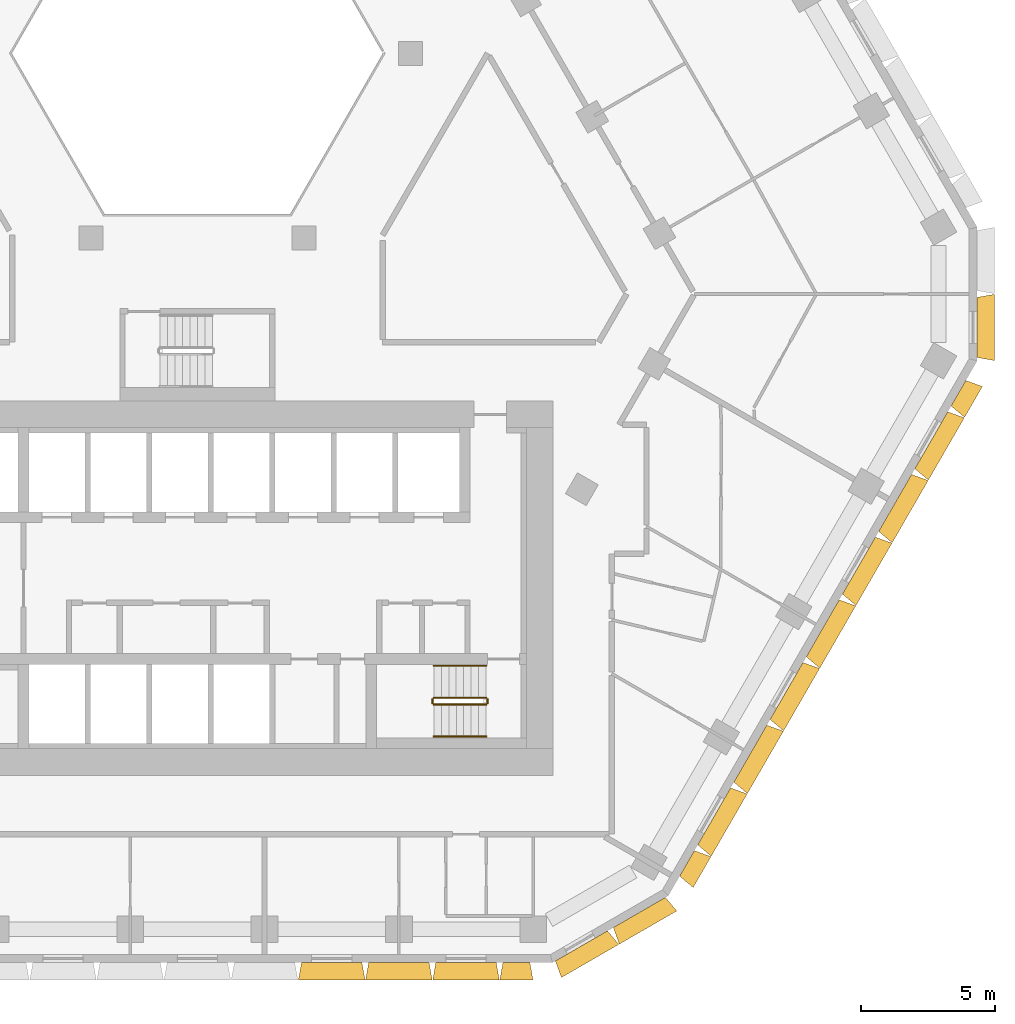
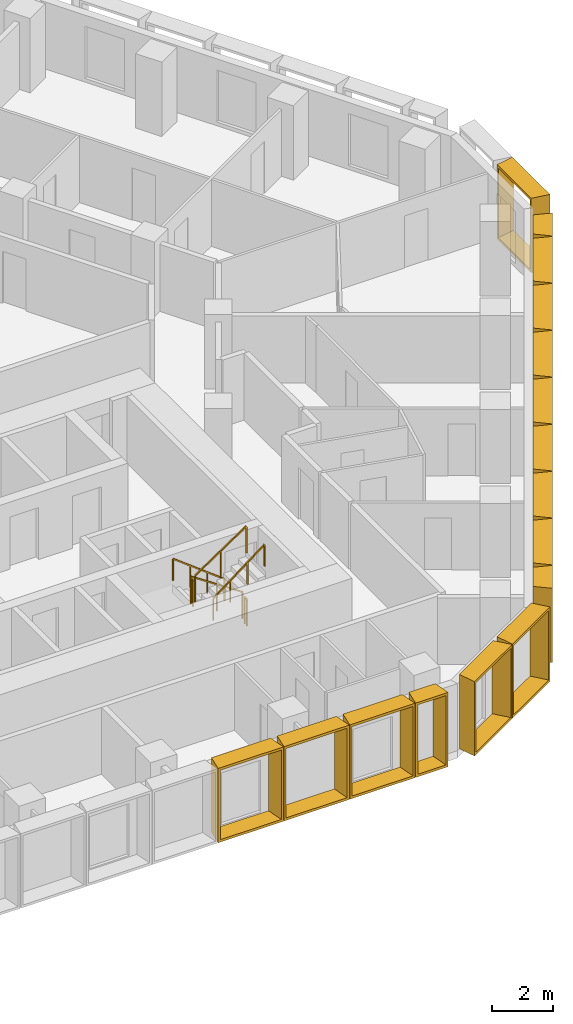
# One storey, part 15 of 16: 16 shading devices, 6 railings.
"""IFC4 building model written with IfcOpenShell, lengths in metres."""

from ifc_helpers import new_model, entity, si_unit, direction, frame, origin, origin_2d, place, context, subcontext, project, spatial, rectangle, extrude, source, transform, mapped, material, type_object, type_shapes, element, save


model = new_model("IFC4")

# Units and contexts
model_context = context("Model", 3, precision=1e-05, world=origin(), true_north=direction((0.0, 1.0)))
body_context = subcontext(model_context, "Body", "Model", "MODEL_VIEW")
ifc_project = project(units=[si_unit("LENGTHUNIT", "METRE"), si_unit("AREAUNIT", "SQUARE_METRE"), si_unit("VOLUMEUNIT", "CUBIC_METRE"), si_unit("PLANEANGLEUNIT", "RADIAN"), si_unit("MASSUNIT", "GRAM", prefix="KILO")], contexts=[model_context])

# Site, building, storey
site_placement = place(None, origin())
site = spatial("IfcSite", under=ifc_project, at=site_placement, CompositionType="ELEMENT")
building_placement = place(site_placement, origin())
building = spatial("IfcBuilding", under=site, at=building_placement, Name="Beryl Residences", CompositionType="ELEMENT")
storey_placement = place(building_placement, frame((0.0, 0.0, 90.0)))
storey = spatial("IfcBuildingStorey", under=building, at=storey_placement, Name="L27", CompositionType="ELEMENT", Elevation=90.0)

# Shading devices
ifc_material_1 = material(Name="Aluminium pale anodised", Category="aluminium")
shading_device_type_1 = type_object("IfcShadingDeviceType", Name="FR126-65A OUTER SKIN frame 650 mm deep, splay 10/10 deg, 1260 x 3000 mm cell", PredefinedType="USERDEFINED", material=ifc_material_1)
cartesian_point_1 = entity("IfcCartesianPoint", [-0.5048828125, 0.0])
cartesian_point_2 = entity("IfcCartesianPoint", [-0.423828125, 0.10009765625])
cartesian_point_3 = entity("IfcCartesianPoint", [-0.61962890625, 0.0])
cartesian_point_4 = entity("IfcCartesianPoint", [-0.538330078125, 0.10009765625])
shared_shape_1 = source(origin(), body_context, "Body", "SweptSolid", [
    entity("IfcExtrudedAreaSolidTapered", entity("IfcArbitraryProfileDefWithVoids", "AREA", None, entity("IfcPolyline", [cartesian_point_1, entity("IfcCartesianPoint", [0.5048828125, 0.0]), entity("IfcCartesianPoint", [0.5048828125, 3.0]), entity("IfcCartesianPoint", [-0.5048828125, 3.0]), cartesian_point_1]), [entity("IfcPolyline", [cartesian_point_2, entity("IfcCartesianPoint", [0.423828125, 0.10009765625]), entity("IfcCartesianPoint", [0.423828125, 2.89990234375]), entity("IfcCartesianPoint", [-0.423828125, 2.89990234375]), cartesian_point_2])]), entity("IfcAxis2Placement3D", entity("IfcCartesianPoint", [0.0, 0.0, 0.0]), entity("IfcDirection", [0.0, 1.0, 0.0]), entity("IfcDirection", [-1.0, 0.0, 0.0])), entity("IfcDirection", [0.0, 0.0, 1.0]), 0.64990234375, entity("IfcArbitraryProfileDefWithVoids", "AREA", None, entity("IfcPolyline", [cartesian_point_3, entity("IfcCartesianPoint", [0.61962890625, 0.0]), entity("IfcCartesianPoint", [0.61962890625, 3.0]), entity("IfcCartesianPoint", [-0.61962890625, 3.0]), cartesian_point_3]), [entity("IfcPolyline", [cartesian_point_4, entity("IfcCartesianPoint", [0.538330078125, 0.10009765625]), entity("IfcCartesianPoint", [0.538330078125, 2.89990234375]), entity("IfcCartesianPoint", [-0.538330078125, 2.89990234375]), cartesian_point_4])])),
])
type_shapes(shading_device_type_1, [shared_shape_1])
shading_device_placement = place(storey_placement, frame((11.929931640625, -26.0, 0.0), z_axis=(0.0, 0.0, 1.0), x_axis=(-1.0, 0.0, 0.0)))
element("IfcShadingDevice", 1, at=shading_device_placement, inside=storey, type_object=shading_device_type_1, Name="FR126-65A frame L27 S 11", ObjectType="OUTER SKIN", PredefinedType="USERDEFINED", context=body_context, shape_type="MappedRepresentation", body=[
    mapped(shared_shape_1, transform((0.0, 0.0, 0.0))),
])
ifc_material_2 = material(Name="Aluminium pale anodised", Category="aluminium")
shading_device_type_2 = type_object("IfcShadingDeviceType", Name="FR135-65A OUTER SKIN frame 650 mm deep, splay 10/10 deg, 1350 x 3000 mm cell", PredefinedType="USERDEFINED", material=ifc_material_2)
cartesian_point_5 = entity("IfcCartesianPoint", [-0.550048828125, 0.0])
cartesian_point_6 = entity("IfcCartesianPoint", [-0.46875, 0.10009765625])
cartesian_point_7 = entity("IfcCartesianPoint", [-0.66455078125, 0.0])
cartesian_point_8 = entity("IfcCartesianPoint", [-0.58349609375, 0.10009765625])
shared_shape_2 = source(origin(), body_context, "Body", "SweptSolid", [
    entity("IfcExtrudedAreaSolidTapered", entity("IfcArbitraryProfileDefWithVoids", "AREA", None, entity("IfcPolyline", [cartesian_point_5, entity("IfcCartesianPoint", [0.550048828125, 0.0]), entity("IfcCartesianPoint", [0.550048828125, 3.0]), entity("IfcCartesianPoint", [-0.550048828125, 3.0]), cartesian_point_5]), [entity("IfcPolyline", [cartesian_point_6, entity("IfcCartesianPoint", [0.46875, 0.10009765625]), entity("IfcCartesianPoint", [0.46875, 2.89990234375]), entity("IfcCartesianPoint", [-0.46875, 2.89990234375]), cartesian_point_6])]), entity("IfcAxis2Placement3D", entity("IfcCartesianPoint", [0.0, 0.0, 0.0]), entity("IfcDirection", [0.0, 1.0, 0.0]), entity("IfcDirection", [-1.0, 0.0, 0.0])), entity("IfcDirection", [0.0, 0.0, 1.0]), 0.64990234375, entity("IfcArbitraryProfileDefWithVoids", "AREA", None, entity("IfcPolyline", [cartesian_point_7, entity("IfcCartesianPoint", [0.66455078125, 0.0]), entity("IfcCartesianPoint", [0.66455078125, 3.0]), entity("IfcCartesianPoint", [-0.66455078125, 3.0]), cartesian_point_7]), [entity("IfcPolyline", [cartesian_point_8, entity("IfcCartesianPoint", [0.58349609375, 0.10009765625]), entity("IfcCartesianPoint", [0.58349609375, 2.89990234375]), entity("IfcCartesianPoint", [-0.58349609375, 2.89990234375]), cartesian_point_8])])),
])
type_shapes(shading_device_type_2, [shared_shape_2])
for number, where, z_axis, x_axis, name in (
    (2, (18.30810546875, -22.2900390625, 0.0), (0.0, 0.0, 1.0), (-0.5, -0.866025403784, 0.0), "FR135-65A frame L27 SE 1"),
    (3, (28.4580078125, -4.7099609375, 0.0), (0.0, 0.0, 1.0), (-0.5, -0.866025403784, 0.0), "FR135-65A frame L27 SE 9"),
):
    element("IfcShadingDevice", number, at=place(storey_placement, frame(where, z_axis=z_axis, x_axis=x_axis)), inside=storey, type_object=shading_device_type_2, Name=name, ObjectType="OUTER SKIN", PredefinedType="USERDEFINED", context=body_context, shape_type="MappedRepresentation", body=[
        mapped(shared_shape_2, transform((0.0, 0.0, 0.0))),
    ])
ifc_material_3 = material(Name="Aluminium pale anodised", Category="aluminium")
shading_device_type_3 = type_object("IfcShadingDeviceType", Name="FR250-65A OUTER SKIN frame 650 mm deep, splay 10/10 deg, 2500 x 3000 mm cell", PredefinedType="USERDEFINED", material=ifc_material_3)
cartesian_point_9 = entity("IfcCartesianPoint", [-1.125, 0.0])
cartesian_point_10 = entity("IfcCartesianPoint", [-1.043701171875, 0.10009765625])
cartesian_point_11 = entity("IfcCartesianPoint", [-1.239501953125, 0.0])
cartesian_point_12 = entity("IfcCartesianPoint", [-1.158447265625, 0.10009765625])
shared_shape_3 = source(origin(), body_context, "Body", "SweptSolid", [
    entity("IfcExtrudedAreaSolidTapered", entity("IfcArbitraryProfileDefWithVoids", "AREA", None, entity("IfcPolyline", [cartesian_point_9, entity("IfcCartesianPoint", [1.125, 0.0]), entity("IfcCartesianPoint", [1.125, 3.0]), entity("IfcCartesianPoint", [-1.125, 3.0]), cartesian_point_9]), [entity("IfcPolyline", [cartesian_point_10, entity("IfcCartesianPoint", [1.043701171875, 0.10009765625]), entity("IfcCartesianPoint", [1.043701171875, 2.89990234375]), entity("IfcCartesianPoint", [-1.043701171875, 2.89990234375]), cartesian_point_10])]), entity("IfcAxis2Placement3D", entity("IfcCartesianPoint", [0.0, 0.0, 0.0]), entity("IfcDirection", [0.0, 1.0, 0.0]), entity("IfcDirection", [-1.0, 0.0, 0.0])), entity("IfcDirection", [0.0, 0.0, 1.0]), 0.64990234375, entity("IfcArbitraryProfileDefWithVoids", "AREA", None, entity("IfcPolyline", [cartesian_point_11, entity("IfcCartesianPoint", [1.239501953125, 0.0]), entity("IfcCartesianPoint", [1.239501953125, 3.0]), entity("IfcCartesianPoint", [-1.239501953125, 3.0]), cartesian_point_11]), [entity("IfcPolyline", [cartesian_point_12, entity("IfcCartesianPoint", [1.158447265625, 0.10009765625]), entity("IfcCartesianPoint", [1.158447265625, 2.89990234375]), entity("IfcCartesianPoint", [-1.158447265625, 2.89990234375]), cartesian_point_12])])),
])
type_shapes(shading_device_type_3, [shared_shape_3])
for number, where, z_axis, x_axis, name in (
    (4, (14.361083984375, -25.375, 0.0), (0.0, 0.0, 1.0), (-0.866025403784, -0.5, 0.0), "FR250-65A frame L27 S-SE 1"),
    (5, (16.527099609375, -24.125, 0.0), (0.0, 0.0, 1.0), (-0.866025403784, -0.5, 0.0), "FR250-65A frame L27 S-SE 2"),
    (6, (29.156982421875, -2.25, 0.0), (0.0, 0.0, 1.0), (0.0, -1.0, 0.0), "FR250-65A frame L27 SE-NE 1"),
):
    element("IfcShadingDevice", number, at=place(storey_placement, frame(where, z_axis=z_axis, x_axis=x_axis)), inside=storey, type_object=shading_device_type_3, Name=name, ObjectType="OUTER SKIN", PredefinedType="USERDEFINED", context=body_context, shape_type="MappedRepresentation", body=[
        mapped(shared_shape_3, transform((0.0, 0.0, 0.0))),
    ])
ifc_material_4 = material(Name="Aluminium pale anodised", Category="aluminium")
shading_device_type_4 = type_object("IfcShadingDeviceType", Name="FR251-65A OUTER SKIN frame 650 mm deep, splay 10/10 deg, 2510 x 3000 mm cell", PredefinedType="USERDEFINED", material=ifc_material_4)
cartesian_point_13 = entity("IfcCartesianPoint", [-1.1298828125, 0.0])
cartesian_point_14 = entity("IfcCartesianPoint", [-1.048828125, 0.10009765625])
cartesian_point_15 = entity("IfcCartesianPoint", [-1.24462890625, 0.0])
cartesian_point_16 = entity("IfcCartesianPoint", [-1.163330078125, 0.10009765625])
shared_shape_4 = source(origin(), body_context, "Body", "SweptSolid", [
    entity("IfcExtrudedAreaSolidTapered", entity("IfcArbitraryProfileDefWithVoids", "AREA", None, entity("IfcPolyline", [cartesian_point_13, entity("IfcCartesianPoint", [1.1298828125, 0.0]), entity("IfcCartesianPoint", [1.1298828125, 3.0]), entity("IfcCartesianPoint", [-1.1298828125, 3.0]), cartesian_point_13]), [entity("IfcPolyline", [cartesian_point_14, entity("IfcCartesianPoint", [1.048828125, 0.10009765625]), entity("IfcCartesianPoint", [1.048828125, 2.89990234375]), entity("IfcCartesianPoint", [-1.048828125, 2.89990234375]), cartesian_point_14])]), entity("IfcAxis2Placement3D", entity("IfcCartesianPoint", [0.0, 0.0, 0.0]), entity("IfcDirection", [0.0, 1.0, 0.0]), entity("IfcDirection", [-1.0, 0.0, 0.0])), entity("IfcDirection", [0.0, 0.0, 1.0]), 0.64990234375, entity("IfcArbitraryProfileDefWithVoids", "AREA", None, entity("IfcPolyline", [cartesian_point_15, entity("IfcCartesianPoint", [1.24462890625, 0.0]), entity("IfcCartesianPoint", [1.24462890625, 3.0]), entity("IfcCartesianPoint", [-1.24462890625, 3.0]), cartesian_point_15]), [entity("IfcPolyline", [cartesian_point_16, entity("IfcCartesianPoint", [1.163330078125, 0.10009765625]), entity("IfcCartesianPoint", [1.163330078125, 2.89990234375]), entity("IfcCartesianPoint", [-1.163330078125, 2.89990234375]), cartesian_point_16])])),
])
type_shapes(shading_device_type_4, [shared_shape_4])
for number, where, z_axis, x_axis, name in (
    (7, (5.02392578125, -26.0, 0.0), (0.0, 0.0, 1.0), (-1.0, 0.0, 0.0), "FR251-65A frame L27 S 8"),
    (8, (7.534912109375, -26.0, 0.0), (0.0, 0.0, 1.0), (-1.0, 0.0, 0.0), "FR251-65A frame L27 S 9"),
    (9, (10.0458984375, -26.0, 0.0), (0.0, 0.0, 1.0), (-1.0, 0.0, 0.0), "FR251-65A frame L27 S 10"),
):
    element("IfcShadingDevice", number, at=place(storey_placement, frame(where, z_axis=z_axis, x_axis=x_axis)), inside=storey, type_object=shading_device_type_4, Name=name, ObjectType="OUTER SKIN", PredefinedType="USERDEFINED", context=body_context, shape_type="MappedRepresentation", body=[
        mapped(shared_shape_4, transform((0.0, 0.0, 0.0))),
    ])
ifc_material_5 = material(Name="Aluminium pale anodised", Category="aluminium")
shading_device_type_5 = type_object("IfcShadingDeviceType", Name="FR271-65A OUTER SKIN frame 650 mm deep, splay 10/10 deg, 2710 x 3000 mm cell", PredefinedType="USERDEFINED", material=ifc_material_5)
cartesian_point_17 = entity("IfcCartesianPoint", [-1.22998046875, 0.0])
cartesian_point_18 = entity("IfcCartesianPoint", [-1.148681640625, 0.10009765625])
cartesian_point_19 = entity("IfcCartesianPoint", [-1.3447265625, 0.0])
cartesian_point_20 = entity("IfcCartesianPoint", [-1.263427734375, 0.10009765625])
shared_shape_5 = source(origin(), body_context, "Body", "SweptSolid", [
    entity("IfcExtrudedAreaSolidTapered", entity("IfcArbitraryProfileDefWithVoids", "AREA", None, entity("IfcPolyline", [cartesian_point_17, entity("IfcCartesianPoint", [1.22998046875, 0.0]), entity("IfcCartesianPoint", [1.22998046875, 3.0]), entity("IfcCartesianPoint", [-1.22998046875, 3.0]), cartesian_point_17]), [entity("IfcPolyline", [cartesian_point_18, entity("IfcCartesianPoint", [1.148681640625, 0.10009765625]), entity("IfcCartesianPoint", [1.148681640625, 2.89990234375]), entity("IfcCartesianPoint", [-1.148681640625, 2.89990234375]), cartesian_point_18])]), entity("IfcAxis2Placement3D", entity("IfcCartesianPoint", [0.0, 0.0, 0.0]), entity("IfcDirection", [0.0, 1.0, 0.0]), entity("IfcDirection", [-1.0, 0.0, 0.0])), entity("IfcDirection", [0.0, 0.0, 1.0]), 0.64990234375, entity("IfcArbitraryProfileDefWithVoids", "AREA", None, entity("IfcPolyline", [cartesian_point_19, entity("IfcCartesianPoint", [1.3447265625, 0.0]), entity("IfcCartesianPoint", [1.3447265625, 3.0]), entity("IfcCartesianPoint", [-1.3447265625, 3.0]), cartesian_point_19]), [entity("IfcPolyline", [cartesian_point_20, entity("IfcCartesianPoint", [1.263427734375, 0.10009765625]), entity("IfcCartesianPoint", [1.263427734375, 2.89990234375]), entity("IfcCartesianPoint", [-1.263427734375, 2.89990234375]), cartesian_point_20])])),
])
type_shapes(shading_device_type_5, [shared_shape_5])
for number, where, z_axis, x_axis, name in (
    (10, (19.322998046875, -20.531982421875, 0.0), (0.0, 0.0, 1.0), (-0.5, -0.866025403784, 0.0), "FR271-65A frame L27 SE 2"),
    (11, (20.676025390625, -18.18798828125, 0.0), (0.0, 0.0, 1.0), (-0.5, -0.866025403784, 0.0), "FR271-65A frame L27 SE 3"),
    (12, (22.030029296875, -15.843994140625, 0.0), (0.0, 0.0, 1.0), (-0.5, -0.866025403784, 0.0), "FR271-65A frame L27 SE 4"),
    (13, (23.383056640625, -13.5, 0.0), (0.0, 0.0, 1.0), (-0.5, -0.866025403784, 0.0), "FR271-65A frame L27 SE 5"),
    (14, (24.736083984375, -11.156005859375, 0.0), (0.0, 0.0, 1.0), (-0.5, -0.866025403784, 0.0), "FR271-65A frame L27 SE 6"),
    (15, (26.090087890625, -8.81201171875, 0.0), (0.0, 0.0, 1.0), (-0.5, -0.866025403784, 0.0), "FR271-65A frame L27 SE 7"),
    (16, (27.443115234375, -6.468017578125, 0.0), (0.0, 0.0, 1.0), (-0.5, -0.866025403784, 0.0), "FR271-65A frame L27 SE 8"),
):
    element("IfcShadingDevice", number, at=place(storey_placement, frame(where, z_axis=z_axis, x_axis=x_axis)), inside=storey, type_object=shading_device_type_5, Name=name, ObjectType="OUTER SKIN", PredefinedType="USERDEFINED", context=body_context, shape_type="MappedRepresentation", body=[
        mapped(shared_shape_5, transform((0.0, 0.0, 0.0))),
    ])

# Railings
ifc_material_6 = material(Name="Stainless steel balustrade with glass infill", Category="steel")
railing_type_1 = type_object("IfcRailingType", Name="SG1 stair guard 1100 mm", PredefinedType="GUARDRAIL", material=ifc_material_6)
railing_1_placement = place(storey_placement, frame((10.800048828125, -16.10009765625, 0.1875)))
element("IfcRailing", 17, at=railing_1_placement, inside=storey, type_object=railing_type_1, Name="L27 ST-3 stair guard 1", PredefinedType="GUARDRAIL", context=body_context, shape_type="SweptSolid", body=[
    extrude(rectangle(XDim=0.048095703125, YDim=0.048095703125, at=origin_2d()), frame((0.0, 0.0, 1.076171875), z_axis=(-0.830902050051, 0.0, 0.556418712142), x_axis=(0.0, -1.0, 0.0)), (0.0, 0.0, 1.0), 2.35888671875),
    extrude(rectangle(XDim=0.0419921875, YDim=0.0419921875, at=origin_2d()), origin(), (0.0, 0.0, 1.0), 1.052001953125),
    extrude(rectangle(XDim=0.0419921875, YDim=0.0419921875, at=origin_2d()), frame((-0.97998046875, 0.0, 0.65625)), (0.0, 0.0, 1.0), 1.052001953125),
    extrude(rectangle(XDim=0.0419921875, YDim=0.0419921875, at=origin_2d()), frame((-1.9599609375, 0.0, 1.3125)), (0.0, 0.0, 1.0), 1.052001953125),
])
railing_2_placement = place(storey_placement, frame((8.7900390625, -16.14990234375, 1.5)))
element("IfcRailing", 18, at=railing_2_placement, inside=storey, type_object=railing_type_1, Name="L27 ST-3 stair guard 2", PredefinedType="GUARDRAIL", context=body_context, shape_type="SweptSolid", body=[
    extrude(rectangle(XDim=0.048095703125, YDim=0.048095703125, at=origin_2d()), frame((0.0, 0.0, 1.076171875), z_axis=(0.0, -1.0, 0.0), x_axis=(1.0, 0.0, 0.0)), (0.0, 0.0, 1.0), 0.150146484375),
    extrude(rectangle(XDim=0.0419921875, YDim=0.0419921875, at=origin_2d()), origin(), (0.0, 0.0, 1.0), 1.052001953125),
    extrude(rectangle(XDim=0.0419921875, YDim=0.0419921875, at=origin_2d()), frame((0.0, -0.150146484375, 0.0)), (0.0, 0.0, 1.0), 1.052001953125),
])
railing_3_placement = place(storey_placement, frame((8.840087890625, -16.35009765625, 1.6875)))
element("IfcRailing", 19, at=railing_3_placement, inside=storey, type_object=railing_type_1, Name="L27 ST-3 stair guard 3", PredefinedType="GUARDRAIL", context=body_context, shape_type="SweptSolid", body=[
    extrude(rectangle(XDim=0.048095703125, YDim=0.048095703125, at=origin_2d()), frame((0.0, 0.0, 1.076171875), z_axis=(0.830902050051, 0.0, 0.556418712142), x_axis=(0.0, 1.0, 0.0)), (0.0, 0.0, 1.0), 2.35888671875),
    extrude(rectangle(XDim=0.0419921875, YDim=0.0419921875, at=origin_2d()), origin(), (0.0, 0.0, 1.0), 1.052001953125),
    extrude(rectangle(XDim=0.0419921875, YDim=0.0419921875, at=origin_2d()), frame((0.97998046875, 0.0, 0.65625)), (0.0, 0.0, 1.0), 1.052001953125),
    extrude(rectangle(XDim=0.0419921875, YDim=0.0419921875, at=origin_2d()), frame((1.9599609375, 0.0, 1.3125)), (0.0, 0.0, 1.0), 1.052001953125),
])
railing_4_placement = place(storey_placement, frame((10.85009765625, -16.14990234375, 0.0)))
element("IfcRailing", 20, at=railing_4_placement, inside=storey, type_object=railing_type_1, Name="L27 ST-3 stair guard 4", PredefinedType="GUARDRAIL", context=body_context, shape_type="SweptSolid", body=[
    extrude(rectangle(XDim=0.048095703125, YDim=0.048095703125, at=origin_2d()), frame((0.0, 0.0, 1.076171875), z_axis=(0.0, -1.0, 0.0), x_axis=(1.0, 0.0, 0.0)), (0.0, 0.0, 1.0), 0.150146484375),
    extrude(rectangle(XDim=0.0419921875, YDim=0.0419921875, at=origin_2d()), origin(), (0.0, 0.0, 1.0), 1.052001953125),
    extrude(rectangle(XDim=0.0419921875, YDim=0.0419921875, at=origin_2d()), frame((0.0, -0.150146484375, 0.0)), (0.0, 0.0, 1.0), 1.052001953125),
])
ifc_material_7 = material(Name="Stainless steel handrail", Category="steel")
railing_type_2 = type_object("IfcRailingType", Name="SRL1 stair handrail 900 mm", PredefinedType="HANDRAIL", material=ifc_material_7)
railing_5_placement = place(storey_placement, frame((10.800048828125, -14.89990234375, 0.1875)))
element("IfcRailing", 21, at=railing_5_placement, inside=storey, type_object=railing_type_2, Name="L27 ST-3 stair handrail 1", PredefinedType="HANDRAIL", context=body_context, shape_type="SweptSolid", body=[
    extrude(rectangle(XDim=0.048095703125, YDim=0.048095703125, at=origin_2d()), frame((0.0, 0.0, 0.8759765625), z_axis=(-0.794121922505, 0.0, 0.607758481798), x_axis=(0.0, -1.0, 0.0)), (0.0, 0.0, 1.0), 2.468017578125),
    extrude(rectangle(XDim=0.0419921875, YDim=0.0419921875, at=origin_2d()), origin(), (0.0, 0.0, 1.0), 0.851806640625),
    extrude(rectangle(XDim=0.0419921875, YDim=0.0419921875, at=origin_2d()), frame((-0.6533203125, 0.0, 0.5)), (0.0, 0.0, 1.0), 0.851806640625),
    extrude(rectangle(XDim=0.0419921875, YDim=0.0419921875, at=origin_2d()), frame((-1.306640625, 0.0, 1.0)), (0.0, 0.0, 1.0), 0.851806640625),
    extrude(rectangle(XDim=0.0419921875, YDim=0.0419921875, at=origin_2d()), frame((-1.9599609375, 0.0, 1.5)), (0.0, 0.0, 1.0), 0.851806640625),
])
railing_6_placement = place(storey_placement, frame((8.840087890625, -17.550048828125, 1.6875)))
element("IfcRailing", 22, at=railing_6_placement, inside=storey, type_object=railing_type_2, Name="L27 ST-3 stair handrail 2", PredefinedType="HANDRAIL", context=body_context, shape_type="SweptSolid", body=[
    extrude(rectangle(XDim=0.048095703125, YDim=0.048095703125, at=origin_2d()), frame((0.0, 0.0, 0.8759765625), z_axis=(0.794121922505, 0.0, 0.607758481798), x_axis=(0.0, 1.0, 0.0)), (0.0, 0.0, 1.0), 2.468017578125),
    extrude(rectangle(XDim=0.0419921875, YDim=0.0419921875, at=origin_2d()), origin(), (0.0, 0.0, 1.0), 0.851806640625),
    extrude(rectangle(XDim=0.0419921875, YDim=0.0419921875, at=origin_2d()), frame((0.6533203125, 0.0, 0.5)), (0.0, 0.0, 1.0), 0.851806640625),
    extrude(rectangle(XDim=0.0419921875, YDim=0.0419921875, at=origin_2d()), frame((1.306640625, 0.0, 1.0)), (0.0, 0.0, 1.0), 0.851806640625),
    extrude(rectangle(XDim=0.0419921875, YDim=0.0419921875, at=origin_2d()), frame((1.9599609375, 0.0, 1.5)), (0.0, 0.0, 1.0), 0.851806640625),
])

save(model, "model.ifc")
